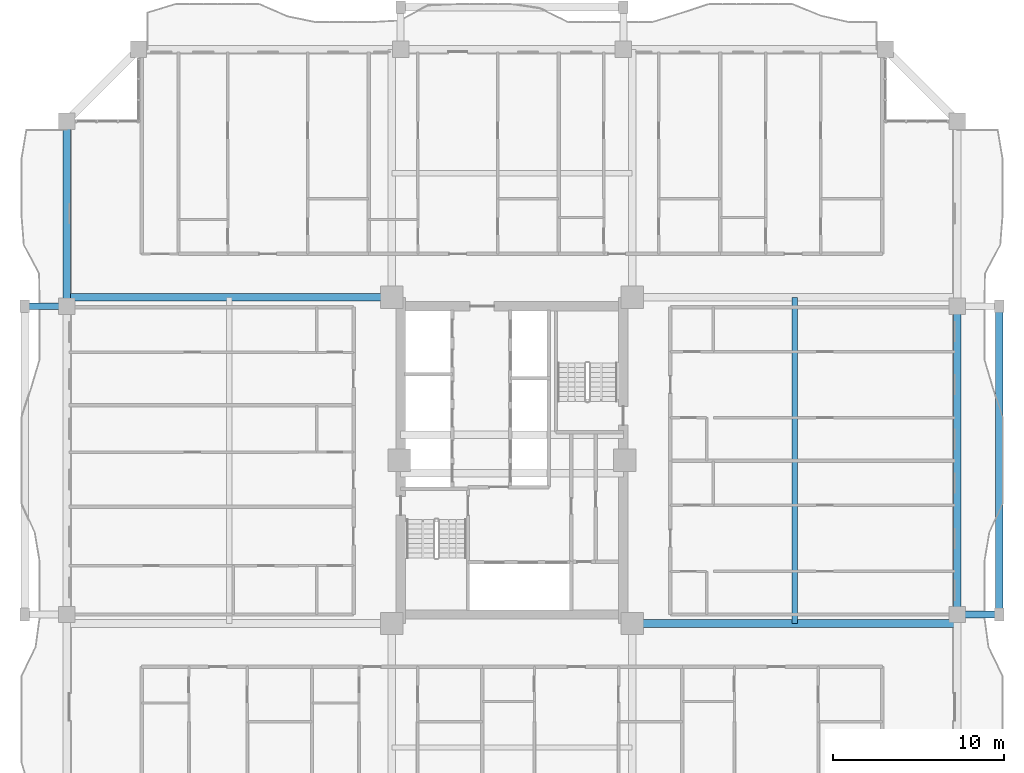
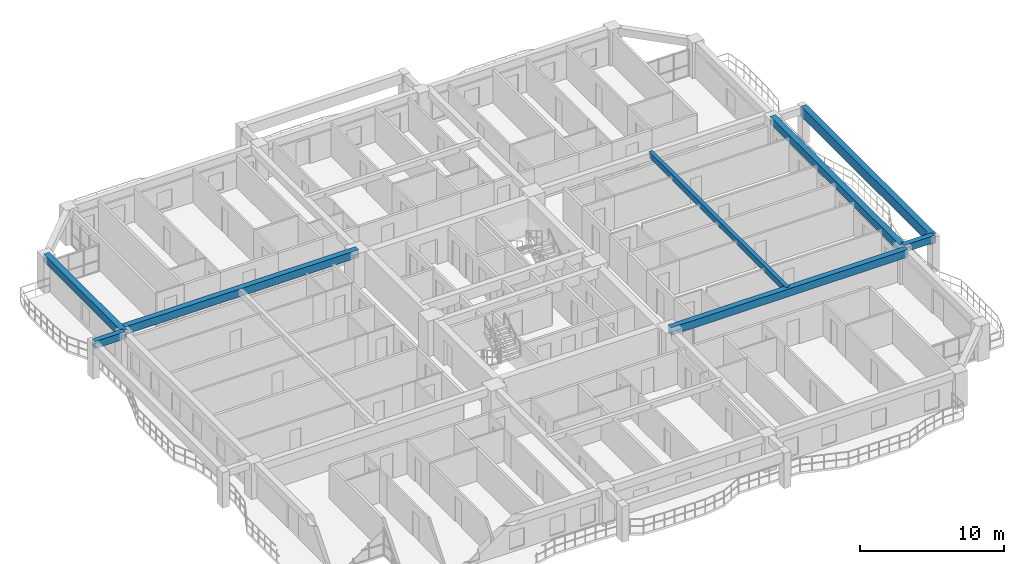
# One storey, part 5 of 26: 8 beams.
"""IFC4 building model written with IfcOpenShell, lengths in metres."""

from ifc_helpers import new_model, si_unit, direction, frame, origin, origin_2d, place, context, subcontext, project, spatial, rectangle, extrude, source, transform, mapped, material, material_profile, profile_set, type_object, element, save


model = new_model("IFC4")

# Units and contexts
model_context = context("Model", 3, precision=1e-05, world=origin(), true_north=direction((0.0, 1.0)))
body_context = subcontext(model_context, "Body", "Model", "MODEL_VIEW")
ifc_project = project(units=[si_unit("LENGTHUNIT", "METRE"), si_unit("AREAUNIT", "SQUARE_METRE"), si_unit("VOLUMEUNIT", "CUBIC_METRE"), si_unit("PLANEANGLEUNIT", "RADIAN"), si_unit("MASSUNIT", "GRAM", prefix="KILO")], contexts=[model_context])

# Site, building, storey
site_placement = place(None, origin())
site = spatial("IfcSite", under=ifc_project, at=site_placement, CompositionType="ELEMENT")
building_placement = place(site_placement, origin())
building = spatial("IfcBuilding", under=site, at=building_placement, Name="Saelheon Loggia Tower", CompositionType="ELEMENT")
storey_placement = place(building_placement, frame((0.0, 0.0, 89.85009765625)))
storey = spatial("IfcBuildingStorey", under=building, at=storey_placement, Name="L28", CompositionType="ELEMENT", Elevation=89.85009765625)

# Beams
ifc_material_1 = material(Name="Precast Concrete C45/55", Category="concrete")
ifc_material_profile_1 = material_profile(ifc_material_1, rectangle(XDim=0.39990234375, YDim=0.60009765625, at=origin_2d()), Name="RC-400x600")
ifc_profile_set_1 = profile_set([ifc_material_profile_1], Name="Precast Concrete C45/55")
beam_type_1 = type_object("IfcBeamType", Name="Beam_LoggiaTie_RC400x600", PredefinedType="BEAM", material=ifc_profile_set_1)
shared_shape_1 = source(origin(), body_context, "Body", "SweptSolid", [
    extrude(rectangle(XDim=0.39990234375, YDim=0.60009765625, at=origin_2d()), origin(), (0.0, 0.0, 1.0), 2.449951171875),
])
for number, where, z_axis, x_axis, name in (
    (1, (64.0, 18.0, 2.699951171875), (1.0, 0.0, 0.0), (0.0, 1.0, 0.0), "L28 Loggia Frame Tie Beam LP-E1"),
    (2, (12.0, 36.0, 2.699951171875), (-1.0, 0.0, 0.0), (0.0, -1.0, 0.0), "L28 Loggia Frame Tie Beam LP-W2"),
):
    element("IfcBeam", number, at=place(storey_placement, frame(where, z_axis=z_axis, x_axis=x_axis)), inside=storey, type_object=beam_type_1, Name=name, PredefinedType="BEAM", context=body_context, shape_type="MappedRepresentation", body=[
        mapped(shared_shape_1, transform((0.0, 0.0, 0.0), scale=1.0)),
    ])
ifc_material_profile_2 = material_profile(ifc_material_1, rectangle(XDim=0.449951171875, YDim=0.85009765625, at=origin_2d()), Name="RC-450x850")
ifc_profile_set_2 = profile_set([ifc_material_profile_2], Name="Precast Concrete C45/55")
beam_type_2 = type_object("IfcBeamType", Name="Beam_LoggiaSpandrel_RC450x850", PredefinedType="SPANDREL", material=ifc_profile_set_2)
shared_shape_2 = source(origin(), body_context, "Body", "SweptSolid", [
    extrude(rectangle(XDim=0.449951171875, YDim=0.85009765625, at=origin_2d()), origin(), (0.0, 0.0, 1.0), 18.0),
])
beam_1_placement = place(storey_placement, frame((66.449951171875, 18.0, 2.574951171875), z_axis=(0.0, 1.0, 0.0), x_axis=(-1.0, 0.0, 0.0)))
element("IfcBeam", 3, at=beam_1_placement, inside=storey, type_object=beam_type_2, Name="L28 Loggia Spandrel Beam E", PredefinedType="SPANDREL", context=body_context, shape_type="MappedRepresentation", body=[
    mapped(shared_shape_2, transform((0.0, 0.0, 0.0), scale=1.0)),
])
ifc_material_2 = material(Name="Concrete C40/50", Category="concrete")
ifc_material_profile_3 = material_profile(ifc_material_2, rectangle(XDim=0.449951171875, YDim=0.64990234375, at=origin_2d()), Name="RC-450x650")
ifc_profile_set_3 = profile_set([ifc_material_profile_3], Name="Concrete C40/50")
beam_type_3 = type_object("IfcBeamType", Name="Beam_PerimTower_RC450x650", PredefinedType="BEAM", material=ifc_profile_set_3)
shared_shape_3 = source(origin(), body_context, "Body", "SweptSolid", [
    extrude(rectangle(XDim=0.449951171875, YDim=0.64990234375, at=origin_2d()), origin(), (0.0, 0.0, 1.0), 10.800048828125),
])
beam_2_placement = place(storey_placement, frame((12.0, 46.800048828125, 2.6748046875), z_axis=(0.0, -1.0, 0.0), x_axis=(1.0, 0.0, 0.0)))
element("IfcBeam", 4, at=beam_2_placement, inside=storey, type_object=beam_type_3, Name="L28 Perimeter Frame Girder 13", PredefinedType="BEAM", context=body_context, shape_type="MappedRepresentation", body=[
    mapped(shared_shape_3, transform((0.0, 0.0, 0.0), scale=1.0)),
])
shared_shape_4 = source(origin(), body_context, "Body", "SweptSolid", [
    extrude(rectangle(XDim=0.449951171875, YDim=0.64990234375, at=origin_2d()), origin(), (0.0, 0.0, 1.0), 18.0),
])
beam_3_placement = place(storey_placement, frame((64.0, 18.0, 2.6748046875), z_axis=(0.0, 1.0, 0.0), x_axis=(-1.0, 0.0, 0.0)))
element("IfcBeam", 5, at=beam_3_placement, inside=storey, type_object=beam_type_3, Name="L28 Perimeter Frame Girder 06", PredefinedType="BEAM", context=body_context, shape_type="MappedRepresentation", body=[
    mapped(shared_shape_4, transform((0.0, 0.0, 0.0), scale=1.0)),
])
ifc_material_profile_4 = material_profile(ifc_material_2, rectangle(XDim=0.449951171875, YDim=0.64990234375, at=origin_2d()), Name="RC-450x650")
ifc_profile_set_4 = profile_set([ifc_material_profile_4], Name="Concrete C40/50")
beam_type_4 = type_object("IfcBeamType", Name="Beam_TowerGirder_RC450x650", PredefinedType="BEAM", material=ifc_profile_set_4)
shared_shape_5 = source(origin(), body_context, "Body", "SweptSolid", [
    extrude(rectangle(XDim=0.449951171875, YDim=0.64990234375, at=origin_2d()), origin(), (0.0, 0.0, 1.0), 18.97998046875),
])
for number, where, z_axis, x_axis, name in (
    (6, (30.97998046875, 36.52001953125, 2.6748046875), (-1.0, 0.0, 0.0), (0.0, -1.0, 0.0), "L28 Radial Floor Girder RAD-NW-W"),
    (7, (45.02001953125, 17.47998046875, 2.6748046875), (1.0, 0.0, 0.0), (0.0, 1.0, 0.0), "L28 Radial Floor Girder RAD-SE-E"),
):
    element("IfcBeam", number, at=place(storey_placement, frame(where, z_axis=z_axis, x_axis=x_axis)), inside=storey, type_object=beam_type_4, Name=name, PredefinedType="BEAM", context=body_context, shape_type="MappedRepresentation", body=[
        mapped(shared_shape_5, transform((0.0, 0.0, 0.0), scale=1.0)),
    ])
ifc_material_profile_5 = material_profile(ifc_material_2, rectangle(XDim=0.300048828125, YDim=0.5, at=origin_2d()), Name="RC-300x500")
ifc_profile_set_5 = profile_set([ifc_material_profile_5], Name="Concrete C40/50")
beam_type_5 = type_object("IfcBeamType", Name="Beam_Joist_RC300x500", PredefinedType="JOIST", material=ifc_profile_set_5)
shared_shape_6 = source(origin(), body_context, "Body", "SweptSolid", [
    extrude(rectangle(XDim=0.300048828125, YDim=0.5, at=origin_2d()), origin(), (0.0, 0.0, 1.0), 19.0400390625),
])
beam_4_placement = place(storey_placement, frame((54.510009765625, 17.47998046875, 2.75), z_axis=(0.0, 1.0, 0.0), x_axis=(-1.0, 0.0, 0.0)))
element("IfcBeam", 8, at=beam_4_placement, inside=storey, type_object=beam_type_5, Name="L28 East Floor Joist", PredefinedType="JOIST", context=body_context, shape_type="MappedRepresentation", body=[
    mapped(shared_shape_6, transform((0.0, 0.0, 0.0), scale=1.0)),
])

save(model, "model.ifc")
